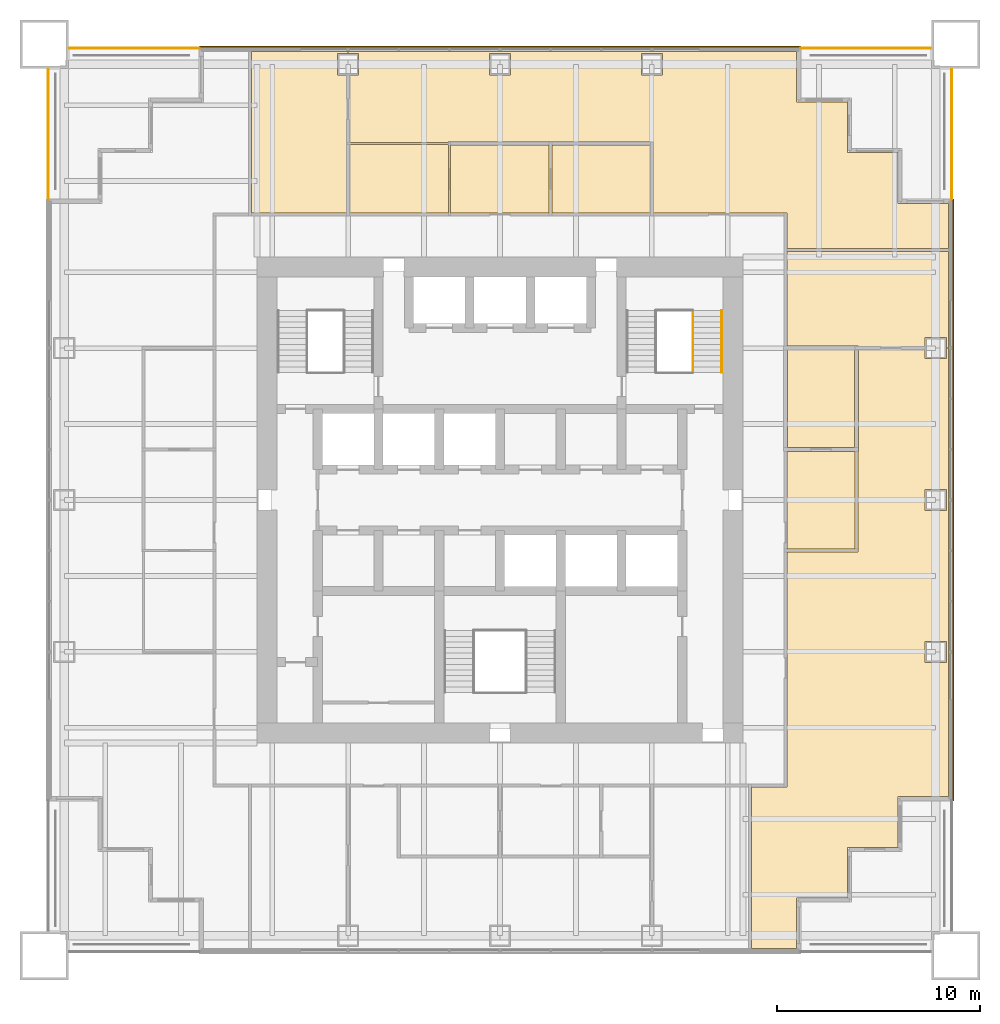
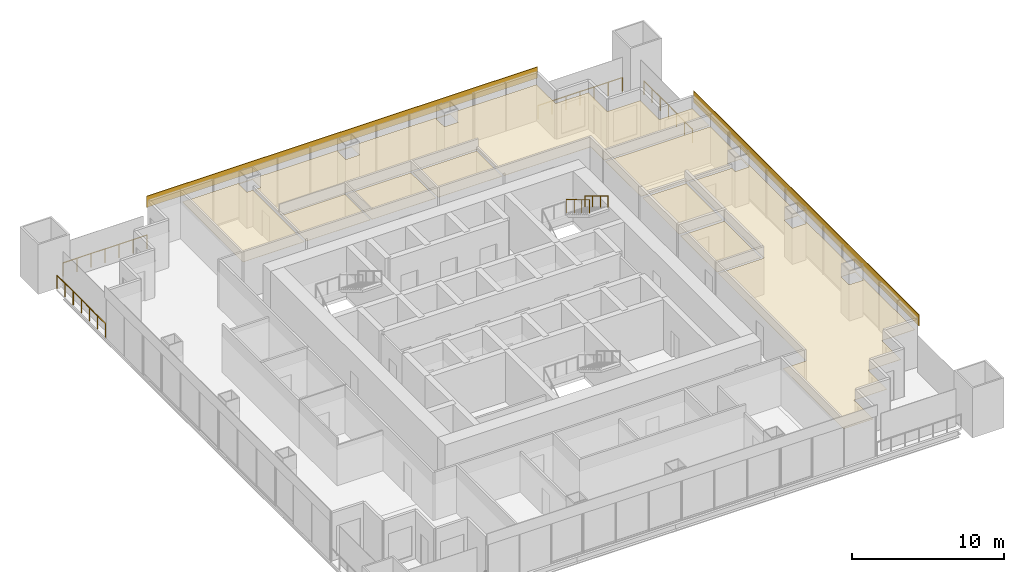
# One storey, part 13 of 13: 11 coverings, 6 railings.
"""IFC4 building model written with IfcOpenShell, lengths in metres."""

from ifc_helpers import new_model, si_unit, direction, frame, origin, origin_2d, place, context, subcontext, project, spatial, polyline, rectangle, circle, outline, extrude, material, layer, layer_set, type_object, element, save


model = new_model("IFC4")

# Units and contexts
model_context = context("Model", 3, precision=1e-05, world=origin(), true_north=direction((0.0, 1.0)))
body_context = subcontext(model_context, "Body", "Model", "MODEL_VIEW")
ifc_project = project(units=[si_unit("LENGTHUNIT", "METRE"), si_unit("AREAUNIT", "SQUARE_METRE"), si_unit("VOLUMEUNIT", "CUBIC_METRE"), si_unit("PLANEANGLEUNIT", "RADIAN"), si_unit("MASSUNIT", "GRAM", prefix="KILO")], contexts=[model_context])

# Site, building, storey
site_placement = place(None, origin())
site = spatial("IfcSite", under=ifc_project, at=site_placement, CompositionType="ELEMENT")
building_placement = place(site_placement, origin())
building = spatial("IfcBuilding", under=site, at=building_placement, Name="Tarangal Relay Tower", CompositionType="ELEMENT")
storey_placement = place(building_placement, frame((0.0, 0.0, 205.89990234375)))
storey = spatial("IfcBuildingStorey", under=building, at=storey_placement, Name="L43", CompositionType="ELEMENT", Elevation=205.89990234375)

# Coverings
ifc_material_1 = material(Name="Black anodised aluminium cladding", Category="aluminium")
ifc_layer_1 = layer(ifc_material_1, 0.050048828125)
ifc_layer_set_1 = layer_set([ifc_layer_1], Name="Black metal spandrel band")
covering_type_1 = type_object("IfcCoveringType", Name="Black metal spandrel band", PredefinedType="CLADDING", material=ifc_layer_set_1)
for number, where, z_axis, x_axis, name in (
    (1, (0.0, 22.375, 3.250244140625), (0.0, 0.0, 1.0), (1.0, 0.0, 0.0), "Spandrel band SB1 N L43"),
    (2, (22.375, 0.0, 3.250244140625), (0.0, 0.0, 1.0), (0.0, -1.0, 0.0), "Spandrel band SB1 E L43"),
):
    element("IfcCovering", number, at=place(storey_placement, frame(where, z_axis=z_axis, x_axis=x_axis)), inside=storey, type_object=covering_type_1, Name=name, PredefinedType="CLADDING", context=body_context, shape_type="SweptSolid", body=[
        extrude(rectangle(XDim=29.699951171875, YDim=0.050048828125, at=origin_2d()), origin(), (0.0, 0.0, 1.0), 0.89990234375),
    ])

# Railings
ifc_material_2 = material(Name="Steel guard, black finish", Category="steel")
railing_type_1 = type_object("IfcRailingType", Name="Stair guard 1100", PredefinedType="GUARDRAIL", material=ifc_material_2)
railing_1_placement = place(storey_placement, frame((9.530029296875, 9.346923828125, 2.166748046875)))
element("IfcRailing", 3, at=railing_1_placement, inside=storey, type_object=railing_type_1, Name="Stair ST-B guard GR1 L43 flight 2", PredefinedType="GUARDRAIL", context=body_context, shape_type="SweptSolid", body=[
    extrude(circle(Radius=0.02392578125, at=origin_2d()), frame((0.0, 0.0, 1.076171875), z_axis=(0.0, -0.85685617095, 0.515555527858), x_axis=(1.0, 0.0, 0.0)), (0.0, 0.0, 1.0), 3.555908203125),
    extrude(circle(Radius=0.02099609375, at=origin_2d()), origin(), (0.0, 0.0, 1.0), 1.052001953125),
    extrude(circle(Radius=0.02099609375, at=origin_2d()), frame((0.0, -1.015625, 0.611083984375)), (0.0, 0.0, 1.0), 1.052001953125),
    extrude(circle(Radius=0.02099609375, at=origin_2d()), frame((0.0, -2.03125, 1.22216796875)), (0.0, 0.0, 1.0), 1.052001953125),
    extrude(circle(Radius=0.02099609375, at=origin_2d()), frame((0.0, -3.046875, 1.833251953125)), (0.0, 0.0, 1.0), 1.052001953125),
])
ifc_material_3 = material(Name="Steel handrail, black finish", Category="steel")
railing_type_2 = type_object("IfcRailingType", Name="Stair handrail 900", PredefinedType="HANDRAIL", material=ifc_material_3)
railing_2_placement = place(storey_placement, frame((10.93994140625, 9.346923828125, 2.166748046875)))
element("IfcRailing", 4, at=railing_2_placement, inside=storey, type_object=railing_type_2, Name="Stair ST-B handrail HR1 L43 flight 2", PredefinedType="HANDRAIL", context=body_context, shape_type="SweptSolid", body=[
    extrude(circle(Radius=0.02392578125, at=origin_2d()), frame((0.0, 0.0, 0.8759765625), z_axis=(0.0, -0.85685617095, 0.515555527858), x_axis=(1.0, 0.0, 0.0)), (0.0, 0.0, 1.0), 3.555908203125),
    extrude(circle(Radius=0.02099609375, at=origin_2d()), origin(), (0.0, 0.0, 1.0), 0.851806640625),
    extrude(circle(Radius=0.02099609375, at=origin_2d()), frame((0.0, -1.015625, 0.611083984375)), (0.0, 0.0, 1.0), 0.851806640625),
    extrude(circle(Radius=0.02099609375, at=origin_2d()), frame((0.0, -2.03125, 1.22216796875)), (0.0, 0.0, 1.0), 0.851806640625),
    extrude(circle(Radius=0.02099609375, at=origin_2d()), frame((0.0, -3.046875, 1.833251953125)), (0.0, 0.0, 1.0), 0.851806640625),
])

# Coverings
ifc_material_4 = material(Name="Mineral fibre ceiling tiles", Category="gypsum")
ifc_layer_2 = layer(ifc_material_4, 0.02001953125)
ifc_layer_set_2 = layer_set([ifc_layer_2], Name="Suspended ceiling")
covering_type_2 = type_object("IfcCoveringType", Name="Suspended ceiling", PredefinedType="CEILING", material=ifc_layer_set_2)
covering_1_placement = place(storey_placement, frame((0.0, 0.0, 2.900146484375)))
element("IfcCovering", 5, at=covering_1_placement, inside=storey, type_object=covering_type_2, Name="Suspended ceiling CL1 L43-02", PredefinedType="CEILING", context=body_context, shape_type="SweptSolid", body=[
    extrude(outline(polyline([(-7.5, 22.14990234375), (-12.258056640625, 22.14990234375), (-12.258056640625, 14.175048828125), (-7.574951171875, 14.175048828125), (-7.574951171875, 20.989990234375), (-8.02490234375, 20.989990234375), (-8.02490234375, 22.0400390625), (-7.5, 22.0400390625), (-7.5, 22.14990234375)])), origin(), (0.0, 0.0, 1.0), 0.02001953125),
])
covering_2_placement = place(storey_placement, frame((0.0, 0.0, 2.900146484375)))
element("IfcCovering", 6, at=covering_2_placement, inside=storey, type_object=covering_type_2, Name="Suspended ceiling CL1 L43-03", PredefinedType="CEILING", context=body_context, shape_type="SweptSolid", body=[
    extrude(outline(polyline([(-7.425048828125, 14.175048828125), (-2.550048828125, 14.175048828125), (-2.550048828125, 17.52490234375), (-2.574951171875, 17.52490234375), (-2.574951171875, 17.550048828125), (-7.425048828125, 17.550048828125), (-7.425048828125, 14.175048828125)])), origin(), (0.0, 0.0, 1.0), 0.02001953125),
])
covering_3_placement = place(storey_placement, frame((0.0, 0.0, 2.900146484375)))
element("IfcCovering", 7, at=covering_3_placement, inside=storey, type_object=covering_type_2, Name="Suspended ceiling CL1 L43-04", PredefinedType="CEILING", context=body_context, shape_type="SweptSolid", body=[
    extrude(outline(polyline([(-2.449951171875, 14.175048828125), (2.425048828125, 14.175048828125), (2.425048828125, 17.52490234375), (-2.449951171875, 17.52490234375), (-2.449951171875, 14.175048828125)])), origin(), (0.0, 0.0, 1.0), 0.02001953125),
])
covering_4_placement = place(storey_placement, frame((0.0, 0.0, 2.900146484375)))
element("IfcCovering", 8, at=covering_4_placement, inside=storey, type_object=covering_type_2, Name="Suspended ceiling CL1 L43-05", PredefinedType="CEILING", context=body_context, shape_type="SweptSolid", body=[
    extrude(outline(polyline([(7.425048828125, 14.175048828125), (7.425048828125, 17.52490234375), (2.574951171875, 17.52490234375), (2.574951171875, 14.175048828125), (7.425048828125, 14.175048828125)])), origin(), (0.0, 0.0, 1.0), 0.02001953125),
])
covering_5_placement = place(storey_placement, frame((0.0, 0.0, 2.900146484375)))
element("IfcCovering", 9, at=covering_5_placement, inside=storey, type_object=covering_type_2, Name="Suspended ceiling CL1 L43-06", PredefinedType="CEILING", context=body_context, shape_type="SweptSolid", body=[
    extrude(outline(polyline([(22.14990234375, 7.5), (22.14990234375, 12.258056640625), (14.175048828125, 12.258056640625), (14.175048828125, 7.60009765625), (17.699951171875, 7.60009765625), (17.699951171875, 7.574951171875), (20.989990234375, 7.574951171875), (20.989990234375, 8.02490234375), (22.0400390625, 8.02490234375), (22.0400390625, 7.5), (22.14990234375, 7.5)])), origin(), (0.0, 0.0, 1.0), 0.02001953125),
])
covering_6_placement = place(storey_placement, frame((0.0, 0.0, 2.900146484375)))
element("IfcCovering", 10, at=covering_6_placement, inside=storey, type_object=covering_type_2, Name="Suspended ceiling CL1 L43-07", PredefinedType="CEILING", context=body_context, shape_type="SweptSolid", body=[
    extrude(outline(polyline([(17.5, 7.39990234375), (14.199951171875, 7.39990234375), (14.199951171875, 2.60009765625), (17.5, 2.60009765625), (17.5, 7.39990234375)])), origin(), (0.0, 0.0, 1.0), 0.02001953125),
])
covering_7_placement = place(storey_placement, frame((0.0, 0.0, 2.900146484375)))
element("IfcCovering", 11, at=covering_7_placement, inside=storey, type_object=covering_type_2, Name="Suspended ceiling CL1 L43-08", PredefinedType="CEILING", context=body_context, shape_type="SweptSolid", body=[
    extrude(outline(polyline([(14.175048828125, 2.39990234375), (14.175048828125, -2.425048828125), (17.52490234375, -2.425048828125), (17.52490234375, 2.39990234375), (14.175048828125, 2.39990234375)])), origin(), (0.0, 0.0, 1.0), 0.02001953125),
])
covering_8_placement = place(storey_placement, frame((0.0, 0.0, 2.900146484375)))
element("IfcCovering", 12, at=covering_8_placement, inside=storey, type_object=covering_type_2, Name="Suspended ceiling CL1 L43-18", PredefinedType="CEILING", context=body_context, shape_type="SweptSolid", body=[
    extrude(outline(polyline([(-7.5, 22.14990234375), (-7.5, 22.0400390625), (-6.97509765625, 22.0400390625), (-6.97509765625, 20.989990234375), (-7.425048828125, 20.989990234375), (-7.425048828125, 17.64990234375), (-2.574951171875, 17.64990234375), (-2.574951171875, 17.675048828125), (7.574951171875, 17.675048828125), (7.574951171875, 14.175048828125), (14.175048828125, 14.175048828125), (14.175048828125, 12.407958984375), (22.14990234375, 12.407958984375), (22.14990234375, 14.64990234375), (19.64990234375, 14.64990234375), (19.64990234375, 17.14990234375), (17.14990234375, 17.14990234375), (17.14990234375, 19.64990234375), (14.64990234375, 19.64990234375), (14.64990234375, 22.14990234375), (-7.5, 22.14990234375)]), holes=[polyline([(-0.52490234375, 20.989990234375), (0.52490234375, 20.989990234375), (0.52490234375, 22.0400390625), (-0.52490234375, 22.0400390625), (-0.52490234375, 20.989990234375)]), polyline([(6.97509765625, 20.989990234375), (8.02490234375, 20.989990234375), (8.02490234375, 22.0400390625), (6.97509765625, 22.0400390625), (6.97509765625, 20.989990234375)])]), origin(), (0.0, 0.0, 1.0), 0.02001953125),
])
covering_9_placement = place(storey_placement, frame((0.0, 0.0, 2.900146484375)))
element("IfcCovering", 13, at=covering_9_placement, inside=storey, type_object=covering_type_2, Name="Suspended ceiling CL1 L43-19", PredefinedType="CEILING", context=body_context, shape_type="SweptSolid", body=[
    extrude(outline(polyline([(22.14990234375, 7.5), (22.0400390625, 7.5), (22.0400390625, 6.97509765625), (20.989990234375, 6.97509765625), (20.989990234375, 7.425048828125), (17.699951171875, 7.425048828125), (17.699951171875, 2.39990234375), (17.675048828125, 2.39990234375), (17.675048828125, -2.574951171875), (14.175048828125, -2.574951171875), (14.175048828125, -14.175048828125), (12.407958984375, -14.175048828125), (12.407958984375, -22.14990234375), (14.64990234375, -22.14990234375), (14.64990234375, -19.64990234375), (17.14990234375, -19.64990234375), (17.14990234375, -17.14990234375), (19.64990234375, -17.14990234375), (19.64990234375, -14.64990234375), (22.14990234375, -14.64990234375), (22.14990234375, 7.5)]), holes=[polyline([(22.0400390625, -8.02490234375), (22.0400390625, -6.97509765625), (20.989990234375, -6.97509765625), (20.989990234375, -8.02490234375), (22.0400390625, -8.02490234375)]), polyline([(20.989990234375, -0.52490234375), (22.0400390625, -0.52490234375), (22.0400390625, 0.52490234375), (20.989990234375, 0.52490234375), (20.989990234375, -0.52490234375)])]), origin(), (0.0, 0.0, 1.0), 0.02001953125),
])

# Railings
ifc_material_5 = material(Name="Black steel guard with glass infill", Category="steel")
railing_type_3 = type_object("IfcRailingType", Name="Terrace guard 1100", PredefinedType="GUARDRAIL", material=ifc_material_5)
railing_3_placement = place(storey_placement, frame((14.85009765625, 22.300048828125, 0.0)))
element("IfcRailing", 14, at=railing_3_placement, inside=storey, type_object=railing_type_3, Name="Terrace guard GR2 NE L43", PredefinedType="GUARDRAIL", context=body_context, shape_type="SweptSolid", body=[
    extrude(circle(Radius=0.02392578125, at=origin_2d()), frame((0.0, 0.0, 1.076171875), z_axis=(1.0, 0.0, 0.0), x_axis=(0.0, 1.0, 0.0)), (0.0, 0.0, 1.0), 6.39990234375),
    extrude(circle(Radius=0.02099609375, at=origin_2d()), origin(), (0.0, 0.0, 1.0), 1.052001953125),
    extrude(circle(Radius=0.02099609375, at=origin_2d()), frame((1.066650390625, 0.0, 0.0)), (0.0, 0.0, 1.0), 1.052001953125),
    extrude(circle(Radius=0.02099609375, at=origin_2d()), frame((2.13330078125, 0.0, 0.0)), (0.0, 0.0, 1.0), 1.052001953125),
    extrude(circle(Radius=0.02099609375, at=origin_2d()), frame((3.199951171875, 0.0, 0.0)), (0.0, 0.0, 1.0), 1.052001953125),
    extrude(circle(Radius=0.02099609375, at=origin_2d()), frame((4.2666015625, 0.0, 0.0)), (0.0, 0.0, 1.0), 1.052001953125),
    extrude(circle(Radius=0.02099609375, at=origin_2d()), frame((5.333251953125, 0.0, 0.0)), (0.0, 0.0, 1.0), 1.052001953125),
    extrude(circle(Radius=0.02099609375, at=origin_2d()), frame((6.39990234375, 0.0, 0.0)), (0.0, 0.0, 1.0), 1.052001953125),
])
railing_4_placement = place(storey_placement, frame((22.300048828125, 21.25, 0.0)))
element("IfcRailing", 15, at=railing_4_placement, inside=storey, type_object=railing_type_3, Name="Terrace guard GR2 NE L43", PredefinedType="GUARDRAIL", context=body_context, shape_type="SweptSolid", body=[
    extrude(circle(Radius=0.02392578125, at=origin_2d()), frame((0.0, 0.0, 1.076171875), z_axis=(0.0, -1.0, 0.0), x_axis=(1.0, 0.0, 0.0)), (0.0, 0.0, 1.0), 6.39990234375),
    extrude(circle(Radius=0.02099609375, at=origin_2d()), origin(), (0.0, 0.0, 1.0), 1.052001953125),
    extrude(circle(Radius=0.02099609375, at=origin_2d()), frame((0.0, -1.066650390625, 0.0)), (0.0, 0.0, 1.0), 1.052001953125),
    extrude(circle(Radius=0.02099609375, at=origin_2d()), frame((0.0, -2.13330078125, 0.0)), (0.0, 0.0, 1.0), 1.052001953125),
    extrude(circle(Radius=0.02099609375, at=origin_2d()), frame((0.0, -3.199951171875, 0.0)), (0.0, 0.0, 1.0), 1.052001953125),
    extrude(circle(Radius=0.02099609375, at=origin_2d()), frame((0.0, -4.2666015625, 0.0)), (0.0, 0.0, 1.0), 1.052001953125),
    extrude(circle(Radius=0.02099609375, at=origin_2d()), frame((0.0, -5.333251953125, 0.0)), (0.0, 0.0, 1.0), 1.052001953125),
    extrude(circle(Radius=0.02099609375, at=origin_2d()), frame((0.0, -6.39990234375, 0.0)), (0.0, 0.0, 1.0), 1.052001953125),
])
railing_5_placement = place(storey_placement, frame((-22.300048828125, 14.85009765625, 0.0)))
element("IfcRailing", 16, at=railing_5_placement, inside=storey, type_object=railing_type_3, Name="Terrace guard GR2 NW L43", PredefinedType="GUARDRAIL", context=body_context, shape_type="SweptSolid", body=[
    extrude(circle(Radius=0.02392578125, at=origin_2d()), frame((0.0, 0.0, 1.076171875), z_axis=(0.0, 1.0, 0.0), x_axis=(-1.0, 0.0, 0.0)), (0.0, 0.0, 1.0), 6.39990234375),
    extrude(circle(Radius=0.02099609375, at=origin_2d()), origin(), (0.0, 0.0, 1.0), 1.052001953125),
    extrude(circle(Radius=0.02099609375, at=origin_2d()), frame((0.0, 1.066650390625, 0.0)), (0.0, 0.0, 1.0), 1.052001953125),
    extrude(circle(Radius=0.02099609375, at=origin_2d()), frame((0.0, 2.13330078125, 0.0)), (0.0, 0.0, 1.0), 1.052001953125),
    extrude(circle(Radius=0.02099609375, at=origin_2d()), frame((0.0, 3.199951171875, 0.0)), (0.0, 0.0, 1.0), 1.052001953125),
    extrude(circle(Radius=0.02099609375, at=origin_2d()), frame((0.0, 4.2666015625, 0.0)), (0.0, 0.0, 1.0), 1.052001953125),
    extrude(circle(Radius=0.02099609375, at=origin_2d()), frame((0.0, 5.333251953125, 0.0)), (0.0, 0.0, 1.0), 1.052001953125),
    extrude(circle(Radius=0.02099609375, at=origin_2d()), frame((0.0, 6.39990234375, 0.0)), (0.0, 0.0, 1.0), 1.052001953125),
])
railing_6_placement = place(storey_placement, frame((-21.25, 22.300048828125, 0.0)))
element("IfcRailing", 17, at=railing_6_placement, inside=storey, type_object=railing_type_3, Name="Terrace guard GR2 NW L43", PredefinedType="GUARDRAIL", context=body_context, shape_type="SweptSolid", body=[
    extrude(circle(Radius=0.02392578125, at=origin_2d()), frame((0.0, 0.0, 1.076171875), z_axis=(1.0, 0.0, 0.0), x_axis=(0.0, 1.0, 0.0)), (0.0, 0.0, 1.0), 6.39990234375),
    extrude(circle(Radius=0.02099609375, at=origin_2d()), origin(), (0.0, 0.0, 1.0), 1.052001953125),
    extrude(circle(Radius=0.02099609375, at=origin_2d()), frame((1.066650390625, 0.0, 0.0)), (0.0, 0.0, 1.0), 1.052001953125),
    extrude(circle(Radius=0.02099609375, at=origin_2d()), frame((2.13330078125, 0.0, 0.0)), (0.0, 0.0, 1.0), 1.052001953125),
    extrude(circle(Radius=0.02099609375, at=origin_2d()), frame((3.199951171875, 0.0, 0.0)), (0.0, 0.0, 1.0), 1.052001953125),
    extrude(circle(Radius=0.02099609375, at=origin_2d()), frame((4.2666015625, 0.0, 0.0)), (0.0, 0.0, 1.0), 1.052001953125),
    extrude(circle(Radius=0.02099609375, at=origin_2d()), frame((5.333251953125, 0.0, 0.0)), (0.0, 0.0, 1.0), 1.052001953125),
    extrude(circle(Radius=0.02099609375, at=origin_2d()), frame((6.39990234375, 0.0, 0.0)), (0.0, 0.0, 1.0), 1.052001953125),
])

save(model, "model.ifc")
